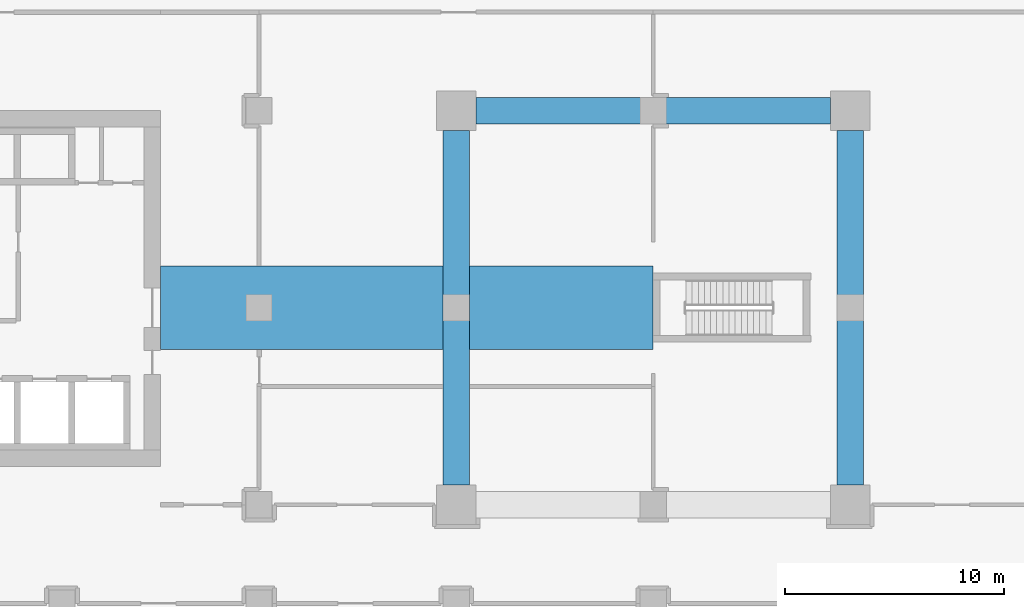
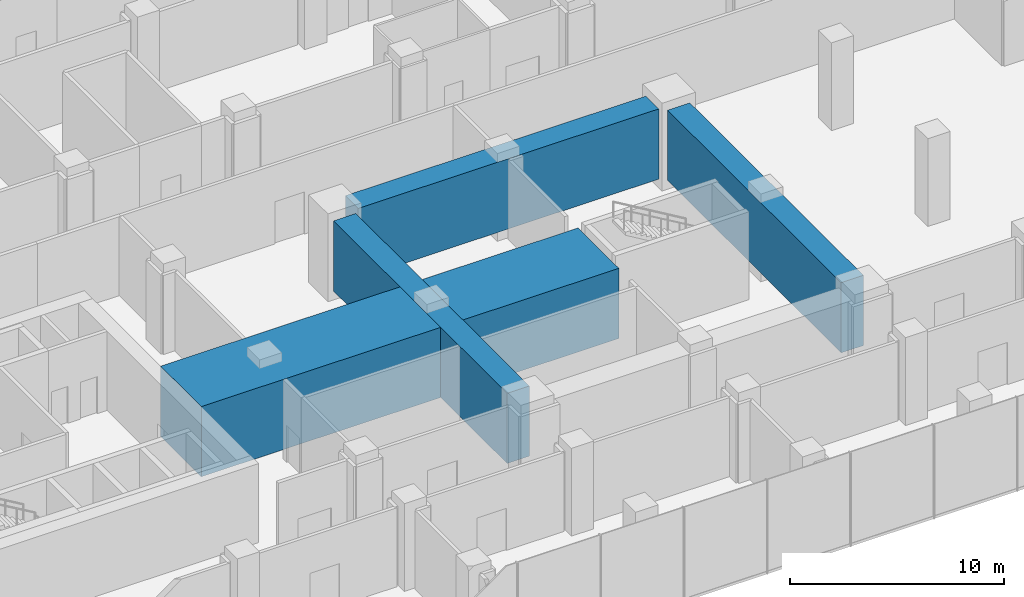
# One storey, part 7 of 36: 5 beams.
"""IFC4 building model written with IfcOpenShell, lengths in metres."""

from ifc_helpers import new_model, si_unit, direction, frame, origin, origin_2d, place, context, subcontext, project, spatial, rectangle, extrude, material, material_profile, profile_set, type_object, element, save


model = new_model("IFC4")

# Units and contexts
model_context = context("Model", 3, precision=1e-05, world=origin(), true_north=direction((0.0, 1.0)))
body_context = subcontext(model_context, "Body", "Model", "MODEL_VIEW")
ifc_project = project(units=[si_unit("LENGTHUNIT", "METRE"), si_unit("AREAUNIT", "SQUARE_METRE"), si_unit("VOLUMEUNIT", "CUBIC_METRE"), si_unit("PLANEANGLEUNIT", "RADIAN"), si_unit("MASSUNIT", "GRAM", prefix="KILO")], contexts=[model_context])

# Site, building, storey
site_placement = place(None, origin())
site = spatial("IfcSite", under=ifc_project, at=site_placement, CompositionType="ELEMENT")
building_placement = place(site_placement, origin())
building = spatial("IfcBuilding", under=site, at=building_placement, Name="Plateau Cross Towers", CompositionType="ELEMENT")
storey_placement = place(building_placement, frame((0.0, 0.0, 21.800048828125)))
storey = spatial("IfcBuildingStorey", under=building, at=storey_placement, Name="L04", CompositionType="ELEMENT", Elevation=21.800048828125)

# Beams
ifc_material = material(Name="Concrete C60/75", Category="concrete")
ifc_material_profile_1 = material_profile(ifc_material, rectangle(XDim=1.199951171875, YDim=4.0, at=origin_2d()), Name="RC 1200x4000")
ifc_profile_set_1 = profile_set([ifc_material_profile_1], Name="Concrete C60/75")
beam_type_1 = type_object("IfcBeamType", Name="Transfer girder RC 1200x4000", PredefinedType="BEAM", material=ifc_profile_set_1)
for number, where, z_axis, x_axis, name in (
    (1, (36.89990234375, 18.0, 2.5), (1.0, 0.0, 0.0), (0.0, 1.0, 0.0), "TG-S-2"),
    (2, (36.0, 0.89990234375, 2.5), (0.0, 1.0, 0.0), (-1.0, 0.0, 0.0), "TG-S-3"),
    (3, (54.0, 0.89990234375, 2.5), (0.0, 1.0, 0.0), (-1.0, 0.0, 0.0), "TG-S-4"),
):
    element("IfcBeam", number, at=place(storey_placement, frame(where, z_axis=z_axis, x_axis=x_axis)), inside=storey, type_object=beam_type_1, Name=name, PredefinedType="BEAM", context=body_context, shape_type="SweptSolid", body=[
        extrude(rectangle(XDim=1.199951171875, YDim=4.0, at=origin_2d()), origin(), (0.0, 0.0, 1.0), 16.2001953125),
    ])
ifc_material_profile_2 = material_profile(ifc_material, rectangle(XDim=3.800048828125, YDim=4.0, at=origin_2d()), Name="RC 3800x4000")
ifc_profile_set_2 = profile_set([ifc_material_profile_2], Name="Concrete C60/75")
beam_type_2 = type_object("IfcBeamType", Name="Wall girder RC 3800x4000", PredefinedType="BEAM", material=ifc_profile_set_2)
beam_1_placement = place(storey_placement, frame((22.5, 9.0, 2.5), z_axis=(1.0, 0.0, 0.0), x_axis=(0.0, 1.0, 0.0)))
element("IfcBeam", 4, at=beam_1_placement, inside=storey, type_object=beam_type_2, Name="WG-S-1", PredefinedType="BEAM", context=body_context, shape_type="SweptSolid", body=[
    extrude(rectangle(XDim=3.800048828125, YDim=4.0, at=origin_2d()), origin(), (0.0, 0.0, 1.0), 12.89990234375),
])
beam_2_placement = place(storey_placement, frame((36.60009765625, 9.0, 2.5), z_axis=(1.0, 0.0, 0.0), x_axis=(0.0, 1.0, 0.0)))
element("IfcBeam", 5, at=beam_2_placement, inside=storey, type_object=beam_type_2, Name="WG-S-2", PredefinedType="BEAM", context=body_context, shape_type="SweptSolid", body=[
    extrude(rectangle(XDim=3.800048828125, YDim=4.0, at=origin_2d()), origin(), (0.0, 0.0, 1.0), 8.39990234375),
])

save(model, "model.ifc")
